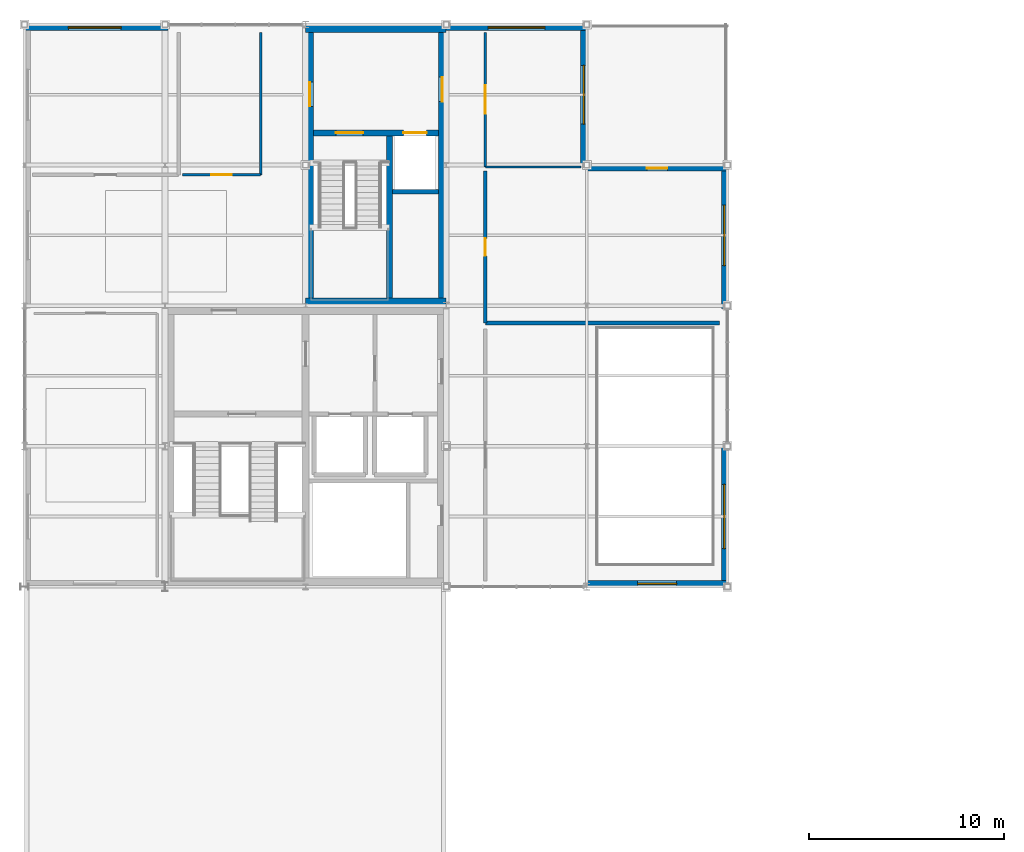
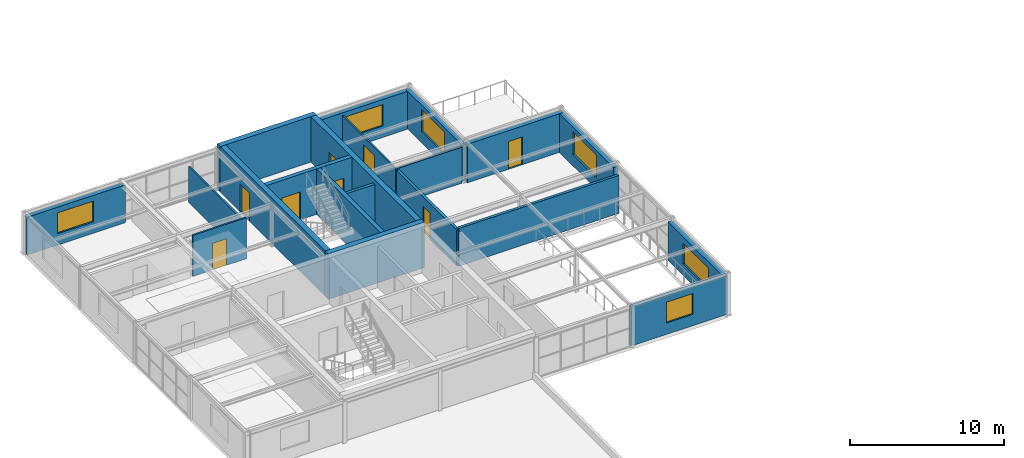
# One storey, part 16 of 22: 20 walls, 8 doors, 6 windows, 14 openings.
"""IFC4 building model written with IfcOpenShell, lengths in metres."""

from ifc_helpers import new_model, si_unit, direction, frame, frame_2d, origin, place, context, subcontext, project, spatial, rectangle, extrude, material, layer, layer_set, type_object, element, fill, save


model = new_model("IFC4")

# Units and contexts
model_context = context("Model", 3, precision=1e-05, world=origin(), true_north=direction((0.0, 1.0)))
body_context = subcontext(model_context, "Body", "Model", "MODEL_VIEW")
ifc_project = project(units=[si_unit("LENGTHUNIT", "METRE"), si_unit("AREAUNIT", "SQUARE_METRE"), si_unit("VOLUMEUNIT", "CUBIC_METRE"), si_unit("PLANEANGLEUNIT", "RADIAN"), si_unit("MASSUNIT", "GRAM", prefix="KILO")], contexts=[model_context])

# Site, building, storey
site_placement = place(None, origin())
site = spatial("IfcSite", under=ifc_project, at=site_placement, CompositionType="ELEMENT")
building_placement = place(site_placement, origin())
building = spatial("IfcBuilding", under=site, at=building_placement, Name="Leyfeld Transit Interchange", CompositionType="ELEMENT")
storey_placement = place(building_placement, frame((0.0, 0.0, 18.0)))
storey = spatial("IfcBuildingStorey", under=building, at=storey_placement, Name="L04", CompositionType="ELEMENT", Elevation=18.0)

# Wall, opening, window
ifc_material_1 = material(Name="Austrian larch glulam GL28h", Category="wood")
ifc_layer_1 = layer(ifc_material_1, 0.31005859375, Name="Austrian larch glulam GL28h")
ifc_layer_set_1 = layer_set([ifc_layer_1], Name="Austrian larch glulam GL28h")
wall_type_1 = type_object("IfcWallType", Name="WL-EXT-LRC-310", PredefinedType="SOLIDWALL", material=ifc_layer_set_1)
wall_1_placement = place(storey_placement, frame((36.0, 93.7548828125, 0.0), z_axis=(0.0, 0.0, 1.0), x_axis=(-1.0, 0.0, 0.0)))
wall_1 = element("IfcWall", 1, at=wall_1_placement, inside=storey, type_object=wall_type_1, Name="External Facade Wall EW-L04-120", PredefinedType="SOLIDWALL", context=body_context, shape_type="SweptSolid", body=[
    extrude(rectangle(XDim=7.199951171875, YDim=0.31005859375, at=frame_2d((3.60009765625, 0.0))), origin(), (0.0, 0.0, 1.0), 3.06005859375),
])
opening_1_placement = place(wall_1_placement, frame((2.60009765625, 0.0, 0.89990234375)))
opening_1 = element("IfcOpeningElement", 2, at=opening_1_placement, cuts=wall_1, Name="Opening WM-06", PredefinedType="OPENING", context=body_context, shape_type="SweptSolid", body=[
    extrude(rectangle(XDim=2.0, YDim=1.64990234375, at=frame_2d((1.0, 0.824951171875))), frame((0.0, 0.1650390625, 0.0), z_axis=(0.0, -1.0, 0.0), x_axis=(1.0, 0.0, 0.0)), (0.0, 0.0, 1.0), 0.330078125),
])
ifc_material_2 = material(Name="Triple low-E insulated glazing", Category="glass")
window_type_1 = type_object("IfcWindowType", Name="WIN-MOD-06", PartitioningType="SINGLE_PANEL", PredefinedType="WINDOW", material=ifc_material_2)
window_1_placement = place(opening_1_placement, origin())
window_1 = element("IfcWindow", 3, at=window_1_placement, inside=storey, type_object=window_type_1, Name="Facade Window L04 083", OverallHeight=1.64990234375, OverallWidth=2.0, PartitioningType="SINGLE_PANEL", PredefinedType="WINDOW", context=body_context, shape_type="SweptSolid", body=[
    extrude(rectangle(XDim=2.0, YDim=1.64990234375, at=frame_2d((1.0, 0.824951171875))), frame((0.0, 0.030029296875, 0.0), z_axis=(0.0, -1.0, 0.0), x_axis=(1.0, 0.0, 0.0)), (0.0, 0.0, 1.0), 0.06005859375),
])
fill(opening_1, window_1)

wall_2_placement = place(storey_placement, frame((0.0, 122.2451171875, 0.0), z_axis=(0.0, 0.0, 1.0), x_axis=(1.0, 0.0, 0.0)))
wall_2 = element("IfcWall", 4, at=wall_2_placement, inside=storey, type_object=wall_type_1, Name="External Facade Wall EW-L04-125", PredefinedType="SOLIDWALL", context=body_context, shape_type="SweptSolid", body=[
    extrude(rectangle(XDim=7.340087890625, YDim=0.31005859375, at=frame_2d((3.669921875, 0.0))), origin(), (0.0, 0.0, 1.0), 3.0),
])
opening_2_placement = place(wall_2_placement, frame((2.25, 0.0, 0.89990234375)))
opening_2 = element("IfcOpeningElement", 5, at=opening_2_placement, cuts=wall_2, Name="Opening WM-11", PredefinedType="OPENING", context=body_context, shape_type="SweptSolid", body=[
    extrude(rectangle(XDim=2.699951171875, YDim=1.64990234375, at=frame_2d((1.35009765625, 0.824951171875))), frame((0.0, 0.1650390625, 0.0), z_axis=(0.0, -1.0, 0.0), x_axis=(1.0, 0.0, 0.0)), (0.0, 0.0, 1.0), 0.330078125),
])
window_type_2 = type_object("IfcWindowType", Name="WIN-MOD-11", PartitioningType="SINGLE_PANEL", PredefinedType="WINDOW", material=ifc_material_2)
window_2_placement = place(opening_2_placement, origin())
window_2 = element("IfcWindow", 6, at=window_2_placement, inside=storey, type_object=window_type_2, Name="Facade Window L04 088", OverallHeight=1.64990234375, OverallWidth=2.699951171875, PartitioningType="SINGLE_PANEL", PredefinedType="WINDOW", context=body_context, shape_type="SweptSolid", body=[
    extrude(rectangle(XDim=2.699951171875, YDim=1.64990234375, at=frame_2d((1.35009765625, 0.824951171875))), frame((0.0, 0.030029296875, 0.0), z_axis=(0.0, -1.0, 0.0), x_axis=(1.0, 0.0, 0.0)), (0.0, 0.0, 1.0), 0.06005859375),
])
fill(opening_2, window_2)

wall_3_placement = place(storey_placement, frame((21.60009765625, 122.2451171875, 0.0), z_axis=(0.0, 0.0, 1.0), x_axis=(1.0, 0.0, 0.0)))
wall_3 = element("IfcWall", 7, at=wall_3_placement, inside=storey, type_object=wall_type_1, Name="External Facade Wall EW-L04-126", PredefinedType="SOLIDWALL", context=body_context, shape_type="SweptSolid", body=[
    extrude(rectangle(XDim=7.199951171875, YDim=0.31005859375, at=frame_2d((3.60009765625, 0.0))), origin(), (0.0, 0.0, 1.0), 3.0),
])
opening_3_placement = place(wall_3_placement, frame((2.14990234375, 0.0, 0.89990234375)))
opening_3 = element("IfcOpeningElement", 8, at=opening_3_placement, cuts=wall_3, Name="Opening WM-12", PredefinedType="OPENING", context=body_context, shape_type="SweptSolid", body=[
    extrude(rectangle(XDim=2.89990234375, YDim=1.699951171875, at=frame_2d((1.449951171875, 0.85009765625))), frame((0.0, 0.1650390625, 0.0), z_axis=(0.0, -1.0, 0.0), x_axis=(1.0, 0.0, 0.0)), (0.0, 0.0, 1.0), 0.330078125),
])
window_type_3 = type_object("IfcWindowType", Name="WIN-MOD-12", PartitioningType="SINGLE_PANEL", PredefinedType="WINDOW", material=ifc_material_2)
window_3_placement = place(opening_3_placement, origin())
window_3 = element("IfcWindow", 9, at=window_3_placement, inside=storey, type_object=window_type_3, Name="Facade Window L04 089", OverallHeight=1.699951171875, OverallWidth=2.89990234375, PartitioningType="SINGLE_PANEL", PredefinedType="WINDOW", context=body_context, shape_type="SweptSolid", body=[
    extrude(rectangle(XDim=2.89990234375, YDim=1.699951171875, at=frame_2d((1.449951171875, 0.85009765625))), frame((0.0, 0.030029296875, 0.0), z_axis=(0.0, -1.0, 0.0), x_axis=(1.0, 0.0, 0.0)), (0.0, 0.0, 1.0), 0.06005859375),
])
fill(opening_3, window_3)

wall_4_placement = place(storey_placement, frame((28.64501953125, 122.39990234375, 0.0), z_axis=(0.0, 0.0, 1.0), x_axis=(0.0, -1.0, 0.0)))
wall_4 = element("IfcWall", 10, at=wall_4_placement, inside=storey, type_object=wall_type_1, Name="External Facade Wall EW-L04-127", PredefinedType="SOLIDWALL", context=body_context, shape_type="SweptSolid", body=[
    extrude(rectangle(XDim=7.199951171875, YDim=0.31005859375, at=frame_2d((3.60009765625, 0.0))), origin(), (0.0, 0.0, 1.0), 3.0),
])
opening_4_placement = place(wall_4_placement, frame((2.10009765625, 0.0, 0.89990234375)))
opening_4 = element("IfcOpeningElement", 11, at=opening_4_placement, cuts=wall_4, Name="Opening WM-13", PredefinedType="OPENING", context=body_context, shape_type="SweptSolid", body=[
    extrude(rectangle(XDim=3.0, YDim=1.75, at=frame_2d((1.5, 0.875))), frame((0.0, 0.1650390625, 0.0), z_axis=(0.0, -1.0, 0.0), x_axis=(1.0, 0.0, 0.0)), (0.0, 0.0, 1.0), 0.330078125),
])
window_type_4 = type_object("IfcWindowType", Name="WIN-MOD-13", PartitioningType="SINGLE_PANEL", PredefinedType="WINDOW", material=ifc_material_2)
window_4_placement = place(opening_4_placement, origin())
window_4 = element("IfcWindow", 12, at=window_4_placement, inside=storey, type_object=window_type_4, Name="Facade Window L04 090", OverallHeight=1.75, OverallWidth=3.0, PartitioningType="SINGLE_PANEL", PredefinedType="WINDOW", context=body_context, shape_type="SweptSolid", body=[
    extrude(rectangle(XDim=3.0, YDim=1.75, at=frame_2d((1.5, 0.875))), frame((0.0, 0.030029296875, 0.0), z_axis=(0.0, -1.0, 0.0), x_axis=(1.0, 0.0, 0.0)), (0.0, 0.0, 1.0), 0.06005859375),
])
fill(opening_4, window_4)

# Wall, opening, door
wall_5_placement = place(storey_placement, frame((28.800048828125, 115.044921875, 0.0), z_axis=(0.0, 0.0, 1.0), x_axis=(1.0, 0.0, 0.0)))
wall_5 = element("IfcWall", 13, at=wall_5_placement, inside=storey, type_object=wall_type_1, Name="External Facade Wall EW-L04-128", PredefinedType="SOLIDWALL", context=body_context, shape_type="SweptSolid", body=[
    extrude(rectangle(XDim=7.199951171875, YDim=0.31005859375, at=frame_2d((3.60009765625, 0.0))), origin(), (0.0, 0.0, 1.0), 3.06005859375),
])
opening_5_placement = place(wall_5_placement, frame((3.074951171875, 0.0, 0.0)))
opening_5 = element("IfcOpeningElement", 14, at=opening_5_placement, cuts=wall_5, Name="Opening DE-07", PredefinedType="OPENING", context=body_context, shape_type="SweptSolid", body=[
    extrude(rectangle(XDim=1.050048828125, YDim=2.199951171875, at=frame_2d((0.52490234375, 1.10009765625))), frame((0.0, 0.1650390625, 0.0), z_axis=(0.0, -1.0, 0.0), x_axis=(1.0, 0.0, 0.0)), (0.0, 0.0, 1.0), 0.330078125),
])
ifc_material_3 = material(Name="Anodised aluminium EN AW-6060 T66", Category="aluminium")
door_type_1 = type_object("IfcDoorType", Name="DR-EXT-TER-1050x2200", OperationType="NOTDEFINED", PredefinedType="DOOR", material=ifc_material_3)
door_1_placement = place(opening_5_placement, origin())
door_1 = element("IfcDoor", 15, at=door_1_placement, inside=storey, type_object=door_type_1, Name="DR-TER-L04-023", OperationType="SINGLE_SWING_RIGHT", OverallHeight=2.199951171875, OverallWidth=1.050048828125, PredefinedType="DOOR", context=body_context, shape_type="SweptSolid", body=[
    extrude(rectangle(XDim=1.050048828125, YDim=2.199951171875, at=frame_2d((0.52490234375, 1.10009765625))), frame((0.0, 0.02490234375, 0.0), z_axis=(0.0, -1.0, 0.0), x_axis=(1.0, 0.0, 0.0)), (0.0, 0.0, 1.0), 0.050048828125),
])
fill(opening_5, door_1)

# Wall, opening, window
wall_6_placement = place(storey_placement, frame((35.844970703125, 115.199951171875, 0.0), z_axis=(0.0, 0.0, 1.0), x_axis=(0.0, -1.0, 0.0)))
wall_6 = element("IfcWall", 16, at=wall_6_placement, inside=storey, type_object=wall_type_1, Name="External Facade Wall EW-L04-129", PredefinedType="SOLIDWALL", context=body_context, shape_type="SweptSolid", body=[
    extrude(rectangle(XDim=7.340087890625, YDim=0.31005859375, at=frame_2d((3.669921875, 0.0))), origin(), (0.0, 0.0, 1.0), 3.06005859375),
])
opening_6_placement = place(wall_6_placement, frame((2.050048828125, 0.0, 0.89990234375)))
opening_6 = element("IfcOpeningElement", 17, at=opening_6_placement, cuts=wall_6, Name="Opening WM-14", PredefinedType="OPENING", context=body_context, shape_type="SweptSolid", body=[
    extrude(rectangle(XDim=3.10009765625, YDim=1.800048828125, at=frame_2d((1.550048828125, 0.89990234375))), frame((0.0, 0.1650390625, 0.0), z_axis=(0.0, -1.0, 0.0), x_axis=(1.0, 0.0, 0.0)), (0.0, 0.0, 1.0), 0.330078125),
])
window_type_5 = type_object("IfcWindowType", Name="WIN-MOD-14", PartitioningType="SINGLE_PANEL", PredefinedType="WINDOW", material=ifc_material_2)
window_5_placement = place(opening_6_placement, origin())
window_5 = element("IfcWindow", 18, at=window_5_placement, inside=storey, type_object=window_type_5, Name="Facade Window L04 091", OverallHeight=1.800048828125, OverallWidth=3.10009765625, PartitioningType="SINGLE_PANEL", PredefinedType="WINDOW", context=body_context, shape_type="SweptSolid", body=[
    extrude(rectangle(XDim=3.10009765625, YDim=1.800048828125, at=frame_2d((1.550048828125, 0.89990234375))), frame((0.0, 0.030029296875, 0.0), z_axis=(0.0, -1.0, 0.0), x_axis=(1.0, 0.0, 0.0)), (0.0, 0.0, 1.0), 0.06005859375),
])
fill(opening_6, window_5)

wall_7_placement = place(storey_placement, frame((35.844970703125, 100.800048828125, 0.0), z_axis=(0.0, 0.0, 1.0), x_axis=(0.0, -1.0, 0.0)))
wall_7 = element("IfcWall", 19, at=wall_7_placement, inside=storey, type_object=wall_type_1, Name="External Facade Wall EW-L04-130", PredefinedType="SOLIDWALL", context=body_context, shape_type="SweptSolid", body=[
    extrude(rectangle(XDim=7.199951171875, YDim=0.31005859375, at=frame_2d((3.60009765625, 0.0))), origin(), (0.0, 0.0, 1.0), 3.06005859375),
])
opening_7_placement = place(wall_7_placement, frame((1.949951171875, 0.0, 0.89990234375)))
opening_7 = element("IfcOpeningElement", 20, at=opening_7_placement, cuts=wall_7, Name="Opening WM-15", PredefinedType="OPENING", context=body_context, shape_type="SweptSolid", body=[
    extrude(rectangle(XDim=3.300048828125, YDim=1.64990234375, at=frame_2d((1.64990234375, 0.824951171875))), frame((0.0, 0.1650390625, 0.0), z_axis=(0.0, -1.0, 0.0), x_axis=(1.0, 0.0, 0.0)), (0.0, 0.0, 1.0), 0.330078125),
])
window_type_6 = type_object("IfcWindowType", Name="WIN-MOD-15", PartitioningType="SINGLE_PANEL", PredefinedType="WINDOW", material=ifc_material_2)
window_6_placement = place(opening_7_placement, origin())
window_6 = element("IfcWindow", 21, at=window_6_placement, inside=storey, type_object=window_type_6, Name="Facade Window L04 092", OverallHeight=1.64990234375, OverallWidth=3.300048828125, PartitioningType="SINGLE_PANEL", PredefinedType="WINDOW", context=body_context, shape_type="SweptSolid", body=[
    extrude(rectangle(XDim=3.300048828125, YDim=1.64990234375, at=frame_2d((1.64990234375, 0.824951171875))), frame((0.0, 0.030029296875, 0.0), z_axis=(0.0, -1.0, 0.0), x_axis=(1.0, 0.0, 0.0)), (0.0, 0.0, 1.0), 0.06005859375),
])
fill(opening_7, window_6)

# Wall
ifc_material_4 = material(Name="Concrete C35/45", Category="concrete")
ifc_layer_2 = layer(ifc_material_4, 0.199951171875, Name="Concrete C35/45")
ifc_layer_set_2 = layer_set([ifc_layer_2], Name="Concrete C35/45")
wall_type_2 = type_object("IfcWallType", Name="WL-INT-FFL-200", PredefinedType="PARTITIONING", material=ifc_layer_set_2)
wall_8_placement = place(storey_placement, frame((35.60009765625, 107.10009765625, 0.0), z_axis=(0.0, 0.0, 1.0), x_axis=(-1.0, 0.0, 0.0)))
element("IfcWall", 22, at=wall_8_placement, inside=storey, type_object=wall_type_2, Name="Interior Partition L04-MON-01 S", PredefinedType="PARTITIONING", context=body_context, shape_type="SweptSolid", body=[
    extrude(rectangle(XDim=12.0, YDim=0.199951171875, at=frame_2d((6.0, 0.0))), origin(), (0.0, 0.0, 1.0), 3.0),
])

# Wall, opening, door
wall_9_placement = place(storey_placement, frame((23.60009765625, 107.10009765625, 0.0), z_axis=(0.0, 0.0, 1.0), x_axis=(0.0, 1.0, 0.0)))
wall_9 = element("IfcWall", 23, at=wall_9_placement, inside=storey, type_object=wall_type_2, Name="Interior Partition L04-MON-01 W", PredefinedType="PARTITIONING", context=body_context, shape_type="SweptSolid", body=[
    extrude(rectangle(XDim=7.7998046875, YDim=0.199951171875, at=frame_2d((3.89990234375, 0.0))), origin(), (0.0, 0.0, 1.0), 2.85009765625),
])
opening_8_placement = place(wall_9_placement, frame((3.449951171875, 0.0, 0.0)))
opening_8 = element("IfcOpeningElement", 24, at=opening_8_placement, cuts=wall_9, Name="Opening DV-01", PredefinedType="OPENING", context=body_context, shape_type="SweptSolid", body=[
    extrude(rectangle(XDim=0.89990234375, YDim=2.10009765625, at=frame_2d((0.449951171875, 1.050048828125))), frame((0.0, 0.10986328125, 0.0), z_axis=(0.0, -1.0, 0.0), x_axis=(1.0, 0.0, 0.0)), (0.0, 0.0, 1.0), 0.219970703125),
])
door_type_2 = type_object("IfcDoorType", Name="DR-VAR-01", OperationType="NOTDEFINED", PredefinedType="DOOR", material=ifc_material_1)
door_2_placement = place(opening_8_placement, origin())
door_2 = element("IfcDoor", 25, at=door_2_placement, inside=storey, type_object=door_type_2, Name="DR-L04-MON-01", OperationType="SINGLE_SWING_LEFT", OverallHeight=2.10009765625, OverallWidth=0.89990234375, PredefinedType="DOOR", context=body_context, shape_type="SweptSolid", body=[
    extrude(rectangle(XDim=0.89990234375, YDim=2.10009765625, at=frame_2d((0.449951171875, 1.050048828125))), frame((0.0, 0.02490234375, 0.0), z_axis=(0.0, -1.0, 0.0), x_axis=(1.0, 0.0, 0.0)), (0.0, 0.0, 1.0), 0.050048828125),
])
fill(opening_8, door_2)

# Wall
ifc_material_5 = material(Name="Gypsum plasterboard acoustic stud", Category="gypsum")
ifc_layer_3 = layer(ifc_material_5, 0.114990234375, Name="Gypsum plasterboard acoustic stud")
ifc_layer_set_3 = layer_set([ifc_layer_3], Name="Gypsum plasterboard acoustic stud")
wall_type_3 = type_object("IfcWallType", Name="WL-INT-OFF-115", PredefinedType="PARTITIONING", material=ifc_layer_set_3)
wall_10_placement = place(storey_placement, frame((28.5, 115.10009765625, 0.0), z_axis=(0.0, 0.0, 1.0), x_axis=(-1.0, 0.0, 0.0)))
element("IfcWall", 26, at=wall_10_placement, inside=storey, type_object=wall_type_3, Name="Interior Partition L04-OFF-03 S", PredefinedType="PARTITIONING", context=body_context, shape_type="SweptSolid", body=[
    extrude(rectangle(XDim=4.89990234375, YDim=0.114990234375, at=frame_2d((2.449951171875, 0.0))), origin(), (0.0, 0.0, 1.0), 2.85009765625),
])

# Wall, opening, door
wall_11_placement = place(storey_placement, frame((23.60009765625, 115.10009765625, 0.0), z_axis=(0.0, 0.0, 1.0), x_axis=(0.0, 1.0, 0.0)))
wall_11 = element("IfcWall", 27, at=wall_11_placement, inside=storey, type_object=wall_type_3, Name="Interior Partition L04-OFF-03 W", PredefinedType="PARTITIONING", context=body_context, shape_type="SweptSolid", body=[
    extrude(rectangle(XDim=6.89990234375, YDim=0.114990234375, at=frame_2d((3.449951171875, 0.0))), origin(), (0.0, 0.0, 1.0), 2.85009765625),
])
opening_9_placement = place(wall_11_placement, frame((2.72509765625, 0.0, 0.0)))
opening_9 = element("IfcOpeningElement", 28, at=opening_9_placement, cuts=wall_11, Name="Opening DV-06", PredefinedType="OPENING", context=body_context, shape_type="SweptSolid", body=[
    extrude(rectangle(XDim=1.449951171875, YDim=2.199951171875, at=frame_2d((0.72509765625, 1.10009765625))), frame((0.0, 0.0673828125, 0.0), z_axis=(0.0, -1.0, 0.0), x_axis=(1.0, 0.0, 0.0)), (0.0, 0.0, 1.0), 0.135009765625),
])
door_type_3 = type_object("IfcDoorType", Name="DR-VAR-06", OperationType="NOTDEFINED", PredefinedType="DOOR", material=ifc_material_1)
door_3_placement = place(opening_9_placement, origin())
door_3 = element("IfcDoor", 29, at=door_3_placement, inside=storey, type_object=door_type_3, Name="DR-L04-OFF-03", OperationType="SINGLE_SWING_RIGHT", OverallHeight=2.199951171875, OverallWidth=1.449951171875, PredefinedType="DOOR", context=body_context, shape_type="SweptSolid", body=[
    extrude(rectangle(XDim=1.449951171875, YDim=2.199951171875, at=frame_2d((0.72509765625, 1.10009765625))), frame((0.0, 0.02490234375, 0.0), z_axis=(0.0, -1.0, 0.0), x_axis=(1.0, 0.0, 0.0)), (0.0, 0.0, 1.0), 0.050048828125),
])
fill(opening_9, door_3)

# Wall
ifc_layer_4 = layer(ifc_material_4, 0.219970703125, Name="Concrete C35/45")
ifc_layer_set_4 = layer_set([ifc_layer_4], Name="Concrete C35/45")
wall_type_4 = type_object("IfcWallType", Name="WL-INT-SHF-220", PredefinedType="PARTITIONING", material=ifc_layer_set_4)
wall_12_placement = place(storey_placement, frame((18.840087890625, 113.840087890625, 0.0), z_axis=(0.0, 0.0, 1.0), x_axis=(1.0, 0.0, 0.0)))
element("IfcWall", 30, at=wall_12_placement, inside=storey, type_object=wall_type_4, Name="Core K2 Lift PL-2 Shaft Back Wall L04", PredefinedType="PARTITIONING", context=body_context, shape_type="SweptSolid", body=[
    extrude(rectangle(XDim=2.35986328125, YDim=0.219970703125, at=frame_2d((1.179931640625, 0.0))), origin(), (0.0, 0.0, 1.0), 3.25),
])

# Wall, opening, door
ifc_material_6 = material(Name="Autoclaved aerated blockwork G4", Category="masonry")
ifc_layer_5 = layer(ifc_material_6, 0.125, Name="Autoclaved aerated blockwork G4")
ifc_layer_set_5 = layer_set([ifc_layer_5], Name="Autoclaved aerated blockwork G4")
wall_type_5 = type_object("IfcWallType", Name="WL-INT-WC-125", PredefinedType="PARTITIONING", material=ifc_layer_set_5)
wall_13_placement = place(storey_placement, frame((12.10009765625, 114.699951171875, 0.0), z_axis=(0.0, 0.0, 1.0), x_axis=(-1.0, 0.0, 0.0)))
wall_13 = element("IfcWall", 31, at=wall_13_placement, inside=storey, type_object=wall_type_5, Name="Interior Partition L04-WCA-02 S", PredefinedType="PARTITIONING", context=body_context, shape_type="SweptSolid", body=[
    extrude(rectangle(XDim=4.0, YDim=0.125, at=frame_2d((2.0, 0.0))), origin(), (0.0, 0.0, 1.0), 3.25),
])
opening_10_placement = place(wall_13_placement, frame((1.47509765625, 0.0, 0.0)))
opening_10 = element("IfcOpeningElement", 32, at=opening_10_placement, cuts=wall_13, Name="Opening DI-09", PredefinedType="OPENING", context=body_context, shape_type="SweptSolid", body=[
    extrude(rectangle(XDim=1.050048828125, YDim=2.10009765625, at=frame_2d((0.52490234375, 1.050048828125))), frame((0.0, 0.072509765625, 0.0), z_axis=(0.0, -1.0, 0.0), x_axis=(1.0, 0.0, 0.0)), (0.0, 0.0, 1.0), 0.14501953125),
])
door_type_4 = type_object("IfcDoorType", Name="DR-WCA-1050x2100", OperationType="NOTDEFINED", PredefinedType="DOOR", material=ifc_material_1)
door_4_placement = place(opening_10_placement, origin())
door_4 = element("IfcDoor", 33, at=door_4_placement, inside=storey, type_object=door_type_4, Name="DR-L04-WCA-02", OperationType="SINGLE_SWING_RIGHT", OverallHeight=2.10009765625, OverallWidth=1.050048828125, PredefinedType="DOOR", context=body_context, shape_type="SweptSolid", body=[
    extrude(rectangle(XDim=1.050048828125, YDim=2.10009765625, at=frame_2d((0.52490234375, 1.050048828125))), frame((0.0, 0.02490234375, 0.0), z_axis=(0.0, -1.0, 0.0), x_axis=(1.0, 0.0, 0.0)), (0.0, 0.0, 1.0), 0.050048828125),
])
fill(opening_10, door_4)

# Walls
wall_14_placement = place(storey_placement, frame((12.10009765625, 122.0, 0.0), z_axis=(0.0, 0.0, 1.0), x_axis=(0.0, -1.0, 0.0)))
element("IfcWall", 34, at=wall_14_placement, inside=storey, type_object=wall_type_5, Name="Interior Partition L04-WCA-02 E", PredefinedType="PARTITIONING", context=body_context, shape_type="SweptSolid", body=[
    extrude(rectangle(XDim=7.300048828125, YDim=0.125, at=frame_2d((3.64990234375, 0.0))), origin(), (0.0, 0.0, 1.0), 2.85009765625),
])
ifc_layer_6 = layer(ifc_material_4, 0.300048828125, Name="Concrete C35/45")
ifc_layer_set_6 = layer_set([ifc_layer_6], Name="Concrete C35/45")
wall_type_6 = type_object("IfcWallType", Name="WL-SH-300", PredefinedType="SHEAR", material=ifc_layer_set_6)
wall_15_placement = place(storey_placement, frame((18.699951171875, 116.699951171875, 0.0), z_axis=(0.0, 0.0, 1.0), x_axis=(0.0, -1.0, 0.0)))
element("IfcWall", 35, at=wall_15_placement, inside=storey, type_object=wall_type_6, Name="Core K2 Shear Wall SMID L04", PredefinedType="SHEAR", context=body_context, shape_type="SweptSolid", body=[
    extrude(rectangle(XDim=8.300048828125, YDim=0.300048828125, at=frame_2d((4.14990234375, 0.0))), origin(), (0.0, 0.0, 1.0), 3.60009765625),
])

# Wall, openings, doors
wall_16_placement = place(storey_placement, frame((14.800048828125, 116.85009765625, 0.0), z_axis=(0.0, 0.0, 1.0), x_axis=(1.0, 0.0, 0.0)))
wall_16 = element("IfcWall", 36, at=wall_16_placement, inside=storey, type_object=wall_type_6, Name="Core K2 Shear Wall STRN L04", PredefinedType="SHEAR", context=body_context, shape_type="SweptSolid", body=[
    extrude(rectangle(XDim=6.39990234375, YDim=0.300048828125, at=frame_2d((3.199951171875, 0.0))), origin(), (0.0, 0.0, 1.0), 3.60009765625),
])
opening_11_placement = place(wall_16_placement, frame((1.14990234375, 0.0, 0.0)))
opening_11 = element("IfcOpeningElement", 37, at=opening_11_placement, cuts=wall_16, Name="Opening DI-01", PredefinedType="OPENING", context=body_context, shape_type="SweptSolid", body=[
    extrude(rectangle(XDim=1.39990234375, YDim=2.199951171875, at=frame_2d((0.699951171875, 1.10009765625))), frame((0.0, 0.159912109375, 0.0), z_axis=(0.0, -1.0, 0.0), x_axis=(1.0, 0.0, 0.0)), (0.0, 0.0, 1.0), 0.320068359375),
])
opening_12_placement = place(wall_16_placement, frame((4.60009765625, 0.0, 0.0)))
opening_12 = element("IfcOpeningElement", 38, at=opening_12_placement, cuts=wall_16, Name="Opening LD-02", PredefinedType="OPENING", context=body_context, shape_type="SweptSolid", body=[
    extrude(rectangle(XDim=1.199951171875, YDim=2.14990234375, at=frame_2d((0.60009765625, 1.074951171875))), frame((0.0, 0.159912109375, 0.0), z_axis=(0.0, -1.0, 0.0), x_axis=(1.0, 0.0, 0.0)), (0.0, 0.0, 1.0), 0.320068359375),
])
ifc_material_7 = material(Name="Stainless steel EN 1.4404", Category="steel")
door_type_5 = type_object("IfcDoorType", Name="DR-LD-PAS-1200x2150", OperationType="NOTDEFINED", PredefinedType="DOOR", material=ifc_material_7)
door_5_placement = place(opening_12_placement, origin())
door_5 = element("IfcDoor", 39, at=door_5_placement, inside=storey, type_object=door_type_5, Name="LD-PL-2-L04", OperationType="DOUBLE_DOOR_SLIDING", OverallHeight=2.14990234375, OverallWidth=1.199951171875, PredefinedType="DOOR", context=body_context, shape_type="SweptSolid", body=[
    extrude(rectangle(XDim=1.199951171875, YDim=2.14990234375, at=frame_2d((0.60009765625, 1.074951171875))), frame((0.0, 0.02490234375, 0.0), z_axis=(0.0, -1.0, 0.0), x_axis=(1.0, 0.0, 0.0)), (0.0, 0.0, 1.0), 0.050048828125),
])
fill(opening_12, door_5)
ifc_material_8 = material(Name="Galvanised steel S275JR", Category="steel")
door_type_6 = type_object("IfcDoorType", Name="DR-STR-1400x2200", OperationType="NOTDEFINED", PredefinedType="DOOR", material=ifc_material_8)
door_6_placement = place(opening_11_placement, origin())
door_6 = element("IfcDoor", 40, at=door_6_placement, inside=storey, type_object=door_type_6, Name="DR-STR-INT-K2-L04", OperationType="SINGLE_SWING_LEFT", OverallHeight=2.199951171875, OverallWidth=1.39990234375, PredefinedType="DOOR", context=body_context, shape_type="SweptSolid", body=[
    extrude(rectangle(XDim=1.39990234375, YDim=2.199951171875, at=frame_2d((0.699951171875, 1.10009765625))), frame((0.0, 0.02490234375, 0.0), z_axis=(0.0, -1.0, 0.0), x_axis=(1.0, 0.0, 0.0)), (0.0, 0.0, 1.0), 0.050048828125),
])
fill(opening_11, door_6)

# Wall
ifc_layer_7 = layer(ifc_material_4, 0.39990234375, Name="Concrete C35/45")
ifc_layer_set_7 = layer_set([ifc_layer_7], Name="Concrete C35/45")
wall_type_7 = type_object("IfcWallType", Name="WL-SH-400", PredefinedType="SHEAR", material=ifc_layer_set_7)
wall_17_placement = place(storey_placement, frame((14.39990234375, 122.199951171875, 0.0), z_axis=(0.0, 0.0, 1.0), x_axis=(1.0, 0.0, 0.0)))
element("IfcWall", 41, at=wall_17_placement, inside=storey, type_object=wall_type_7, Name="Core K2 Shear Wall N L04", PredefinedType="SHEAR", context=body_context, shape_type="SweptSolid", body=[
    extrude(rectangle(XDim=7.2001953125, YDim=0.39990234375, at=frame_2d((3.60009765625, 0.0))), origin(), (0.0, 0.0, 1.0), 3.60009765625),
])

# Wall, opening, door
wall_18_placement = place(storey_placement, frame((21.39990234375, 122.0, 0.0), z_axis=(0.0, 0.0, 1.0), x_axis=(0.0, -1.0, 0.0)))
wall_18 = element("IfcWall", 42, at=wall_18_placement, inside=storey, type_object=wall_type_7, Name="Core K2 Shear Wall E L04", PredefinedType="SHEAR", context=body_context, shape_type="SweptSolid", body=[
    extrude(rectangle(XDim=13.60009765625, YDim=0.39990234375, at=frame_2d((6.800048828125, 0.0))), origin(), (0.0, 0.0, 1.0), 3.60009765625),
])
opening_13_placement = place(wall_18_placement, frame((2.300048828125, 0.0, 0.0)))
opening_13 = element("IfcOpeningElement", 43, at=opening_13_placement, cuts=wall_18, Name="Opening DI-02", PredefinedType="OPENING", context=body_context, shape_type="SweptSolid", body=[
    extrude(rectangle(XDim=1.25, YDim=2.199951171875, at=frame_2d((0.625, 1.10009765625))), frame((0.0, 0.2099609375, 0.0), z_axis=(0.0, -1.0, 0.0), x_axis=(1.0, 0.0, 0.0)), (0.0, 0.0, 1.0), 0.419921875),
])
door_type_7 = type_object("IfcDoorType", Name="DR-FFL-1250x2200", OperationType="NOTDEFINED", PredefinedType="DOOR", material=ifc_material_8)
door_7_placement = place(opening_13_placement, origin())
door_7 = element("IfcDoor", 44, at=door_7_placement, inside=storey, type_object=door_type_7, Name="DR-CORE-OUT-K2-L04-E", OperationType="SINGLE_SWING_LEFT", OverallHeight=2.199951171875, OverallWidth=1.25, PredefinedType="DOOR", context=body_context, shape_type="SweptSolid", body=[
    extrude(rectangle(XDim=1.25, YDim=2.199951171875, at=frame_2d((0.625, 1.10009765625))), frame((0.0, 0.02490234375, 0.0), z_axis=(0.0, -1.0, 0.0), x_axis=(1.0, 0.0, 0.0)), (0.0, 0.0, 1.0), 0.050048828125),
])
fill(opening_13, door_7)

# Wall
wall_19_placement = place(storey_placement, frame((21.60009765625, 108.199951171875, 0.0), z_axis=(0.0, 0.0, 1.0), x_axis=(-1.0, 0.0, 0.0)))
element("IfcWall", 45, at=wall_19_placement, inside=storey, type_object=wall_type_7, Name="Core K2 Shear Wall S L04", PredefinedType="SHEAR", context=body_context, shape_type="SweptSolid", body=[
    extrude(rectangle(XDim=7.2001953125, YDim=0.39990234375, at=frame_2d((3.60009765625, 0.0))), origin(), (0.0, 0.0, 1.0), 3.60009765625),
])

# Wall, opening, door
wall_20_placement = place(storey_placement, frame((14.60009765625, 108.39990234375, 0.0), z_axis=(0.0, 0.0, 1.0), x_axis=(0.0, 1.0, 0.0)))
wall_20 = element("IfcWall", 46, at=wall_20_placement, inside=storey, type_object=wall_type_7, Name="Core K2 Shear Wall W L04", PredefinedType="SHEAR", context=body_context, shape_type="SweptSolid", body=[
    extrude(rectangle(XDim=13.60009765625, YDim=0.39990234375, at=frame_2d((6.800048828125, 0.0))), origin(), (0.0, 0.0, 1.0), 3.60009765625),
])
opening_14_placement = place(wall_20_placement, frame((9.800048828125, 0.0, 0.0)))
opening_14 = element("IfcOpeningElement", 47, at=opening_14_placement, cuts=wall_20, Name="Opening DI-02", PredefinedType="OPENING", context=body_context, shape_type="SweptSolid", body=[
    extrude(rectangle(XDim=1.25, YDim=2.199951171875, at=frame_2d((0.625, 1.10009765625))), frame((0.0, 0.2099609375, 0.0), z_axis=(0.0, -1.0, 0.0), x_axis=(1.0, 0.0, 0.0)), (0.0, 0.0, 1.0), 0.419921875),
])
door_8_placement = place(opening_14_placement, origin())
door_8 = element("IfcDoor", 48, at=door_8_placement, inside=storey, type_object=door_type_7, Name="DR-CORE-OUT-K2-L04-W", OperationType="SINGLE_SWING_RIGHT", OverallHeight=2.199951171875, OverallWidth=1.25, PredefinedType="DOOR", context=body_context, shape_type="SweptSolid", body=[
    extrude(rectangle(XDim=1.25, YDim=2.199951171875, at=frame_2d((0.625, 1.10009765625))), frame((0.0, 0.02490234375, 0.0), z_axis=(0.0, -1.0, 0.0), x_axis=(1.0, 0.0, 0.0)), (0.0, 0.0, 1.0), 0.050048828125),
])
fill(opening_14, door_8)

save(model, "model.ifc")
